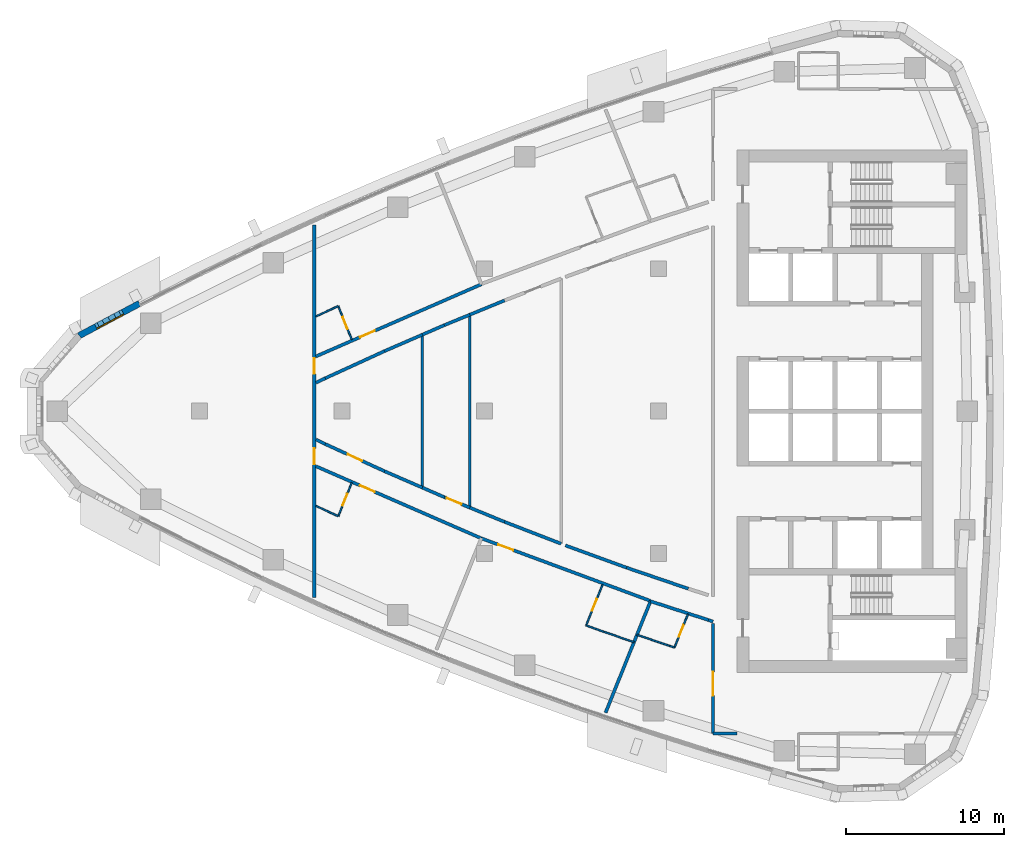
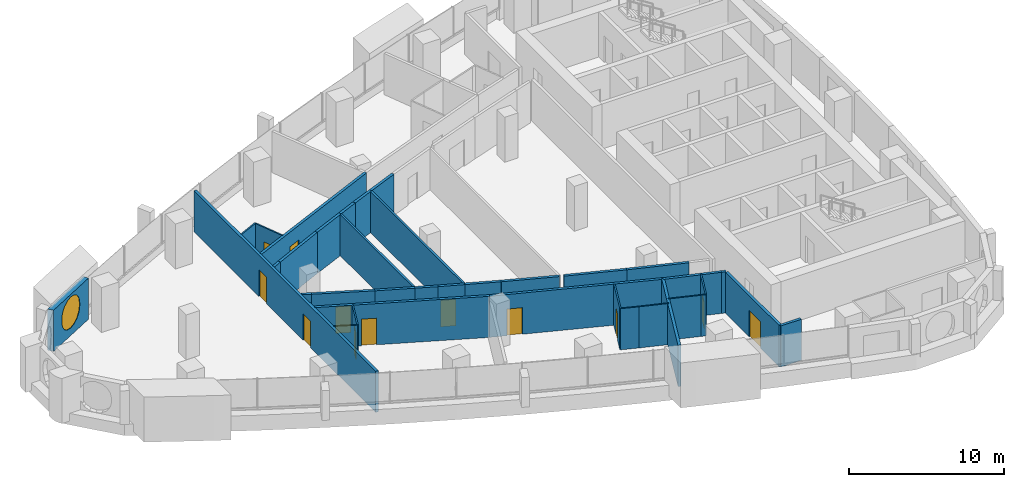
# One storey, part 9 of 17: 37 walls, 12 doors, 1 window, 13 openings.
"""IFC4 building model written with IfcOpenShell, lengths in metres."""

from ifc_helpers import new_model, si_unit, direction, frame, frame_2d, origin, place, context, subcontext, project, spatial, polyline, rectangle, outline, extrude, material, layer, layer_set, type_object, element, fill, save


model = new_model("IFC4")

# Units and contexts
model_context = context("Model", 3, precision=1e-05, world=origin(), true_north=direction((0.0, 1.0)))
body_context = subcontext(model_context, "Body", "Model", "MODEL_VIEW")
ifc_project = project(units=[si_unit("LENGTHUNIT", "METRE"), si_unit("AREAUNIT", "SQUARE_METRE"), si_unit("VOLUMEUNIT", "CUBIC_METRE"), si_unit("PLANEANGLEUNIT", "RADIAN"), si_unit("MASSUNIT", "GRAM", prefix="KILO")], contexts=[model_context])

# Site, building, storey
site_placement = place(None, origin())
site = spatial("IfcSite", under=ifc_project, at=site_placement, CompositionType="ELEMENT")
building_placement = place(site_placement, origin())
building = spatial("IfcBuilding", under=site, at=building_placement, Name="Ostrand Prow Hotel Tower", CompositionType="ELEMENT")
storey_placement = place(building_placement, frame((0.0, 0.0, 182.60009765625)))
storey = spatial("IfcBuildingStorey", under=building, at=storey_placement, Name="L45", CompositionType="ELEMENT", Elevation=182.60009765625)

# Wall
ifc_material_1 = material(Name="Plasterboard partition")
ifc_layer_1 = layer(ifc_material_1, 0.10009765625)
ifc_layer_set_1 = layer_set([ifc_layer_1], Name="Plasterboard partition")
wall_type_1 = type_object("IfcWallType", Name="Partition 100 bathroom wall", PredefinedType="PARTITIONING", material=ifc_layer_set_1)
wall_1_placement = place(storey_placement, frame((23.35400390625, 5.9873046875, 0.0), z_axis=(0.0, 0.0, 1.0), x_axis=(0.909158902999, 0.416449383597, 0.0)))
element("IfcWall", 1, at=wall_1_placement, inside=storey, type_object=wall_type_1, Name="BATHROOM WALL", PredefinedType="PARTITIONING", context=body_context, shape_type="SweptSolid", body=[
    extrude(rectangle(XDim=1.555908203125, YDim=0.10009765625, at=frame_2d((0.77783203125, 0.0))), origin(), (0.0, 0.0, 1.0), 3.25),
])

# Wall, opening, door
wall_2_placement = place(storey_placement, frame((24.7685546875, 6.635009765625, 0.0), z_axis=(0.0, 0.0, 1.0), x_axis=(0.373956446544, -0.927446265877, 0.0)))
wall_2 = element("IfcWall", 2, at=wall_2_placement, inside=storey, type_object=wall_type_1, Name="BATHROOM WALL", PredefinedType="PARTITIONING", context=body_context, shape_type="SweptSolid", body=[
    extrude(rectangle(XDim=2.279052734375, YDim=0.10009765625, at=frame_2d((1.1396484375, 0.0))), origin(), (0.0, 0.0, 1.0), 3.25),
])
opening_1_placement = place(wall_2_placement, frame((0.75, 0.0, 0.0)))
opening_1 = element("IfcOpeningElement", 3, at=opening_1_placement, cuts=wall_2, Name="Opening D2", PredefinedType="OPENING", context=body_context, shape_type="SweptSolid", body=[
    extrude(rectangle(XDim=0.800048828125, YDim=2.10009765625, at=frame_2d((0.39990234375, 1.050048828125))), frame((0.0, 0.06005859375, 0.0), z_axis=(0.0, -1.0, 0.0), x_axis=(1.0, 0.0, 0.0)), (0.0, 0.0, 1.0), 0.1201171875),
])
ifc_material_2 = material(Name="Timber door leaf", Category="wood")
door_type_1 = type_object("IfcDoorType", Name="Bathroom door 800", OperationType="SINGLE_SWING_LEFT", PredefinedType="DOOR", material=ifc_material_2)
door_1_placement = place(opening_1_placement, origin())
door_1 = element("IfcDoor", 4, at=door_1_placement, inside=storey, type_object=door_type_1, Name="DOOR", OperationType="SINGLE_SWING_LEFT", OverallHeight=2.10009765625, OverallWidth=0.800048828125, PredefinedType="DOOR", context=body_context, shape_type="SweptSolid", body=[
    extrude(rectangle(XDim=0.800048828125, YDim=2.10009765625, at=frame_2d((0.39990234375, 1.050048828125))), frame((0.0, 0.02490234375, 0.0), z_axis=(0.0, -1.0, 0.0), x_axis=(1.0, 0.0, 0.0)), (0.0, 0.0, 1.0), 0.050048828125),
])
fill(opening_1, door_1)

wall_3_placement = place(storey_placement, frame((25.620849609375, -4.521240234375, 0.0), z_axis=(0.0, 0.0, 1.0), x_axis=(-0.373956446544, -0.927446265877, 0.0)))
wall_3 = element("IfcWall", 5, at=wall_3_placement, inside=storey, type_object=wall_type_1, Name="BATHROOM WALL", PredefinedType="PARTITIONING", context=body_context, shape_type="SweptSolid", body=[
    extrude(rectangle(XDim=2.279052734375, YDim=0.10009765625, at=frame_2d((1.1396484375, 0.0))), origin(), (0.0, 0.0, 1.0), 3.25),
])
opening_2_placement = place(wall_3_placement, frame((0.75, 0.0, 0.0)))
opening_2 = element("IfcOpeningElement", 6, at=opening_2_placement, cuts=wall_3, Name="Opening D2", PredefinedType="OPENING", context=body_context, shape_type="SweptSolid", body=[
    extrude(rectangle(XDim=0.800048828125, YDim=2.10009765625, at=frame_2d((0.39990234375, 1.050048828125))), frame((0.0, 0.06005859375, 0.0), z_axis=(0.0, -1.0, 0.0), x_axis=(1.0, 0.0, 0.0)), (0.0, 0.0, 1.0), 0.1201171875),
])
door_2_placement = place(opening_2_placement, origin())
door_2 = element("IfcDoor", 7, at=door_2_placement, inside=storey, type_object=door_type_1, Name="DOOR", OperationType="SINGLE_SWING_LEFT", OverallHeight=2.10009765625, OverallWidth=0.800048828125, PredefinedType="DOOR", context=body_context, shape_type="SweptSolid", body=[
    extrude(rectangle(XDim=0.800048828125, YDim=2.10009765625, at=frame_2d((0.39990234375, 1.050048828125))), frame((0.0, 0.02490234375, 0.0), z_axis=(0.0, -1.0, 0.0), x_axis=(1.0, 0.0, 0.0)), (0.0, 0.0, 1.0), 0.050048828125),
])
fill(opening_2, door_2)

# Wall
wall_4_placement = place(storey_placement, frame((24.7685546875, -6.63525390625, 0.0), z_axis=(0.0, 0.0, 1.0), x_axis=(-0.909158902999, 0.416449383597, 0.0)))
element("IfcWall", 8, at=wall_4_placement, inside=storey, type_object=wall_type_1, Name="BATHROOM WALL", PredefinedType="PARTITIONING", context=body_context, shape_type="SweptSolid", body=[
    extrude(rectangle(XDim=1.555908203125, YDim=0.10009765625, at=frame_2d((0.77783203125, 0.0))), origin(), (0.0, 0.0, 1.0), 3.25),
])

# Wall, opening, door
wall_5_placement = place(storey_placement, frame((40.425537109375, -13.53173828125, 0.0), z_axis=(0.0, 0.0, 1.0), x_axis=(0.373889095325, 0.927473419779, 0.0)))
wall_5 = element("IfcWall", 9, at=wall_5_placement, inside=storey, type_object=wall_type_1, Name="BATHROOM WALL", PredefinedType="PARTITIONING", context=body_context, shape_type="SweptSolid", body=[
    extrude(rectangle(XDim=2.7783203125, YDim=0.10009765625, at=frame_2d((1.38916015625, 0.0))), origin(), (0.0, 0.0, 1.0), 3.25),
])
opening_3_placement = place(wall_5_placement, frame((1.0, 0.0, 0.0)))
opening_3 = element("IfcOpeningElement", 10, at=opening_3_placement, cuts=wall_5, Name="Opening D2", PredefinedType="OPENING", context=body_context, shape_type="SweptSolid", body=[
    extrude(rectangle(XDim=0.800048828125, YDim=2.10009765625, at=frame_2d((0.39990234375, 1.050048828125))), frame((0.0, 0.06005859375, 0.0), z_axis=(0.0, -1.0, 0.0), x_axis=(1.0, 0.0, 0.0)), (0.0, 0.0, 1.0), 0.1201171875),
])
door_3_placement = place(opening_3_placement, origin())
door_3 = element("IfcDoor", 11, at=door_3_placement, inside=storey, type_object=door_type_1, Name="DOOR", OperationType="SINGLE_SWING_LEFT", OverallHeight=2.10009765625, OverallWidth=0.800048828125, PredefinedType="DOOR", context=body_context, shape_type="SweptSolid", body=[
    extrude(rectangle(XDim=0.800048828125, YDim=2.10009765625, at=frame_2d((0.39990234375, 1.050048828125))), frame((0.0, 0.02490234375, 0.0), z_axis=(0.0, -1.0, 0.0), x_axis=(1.0, 0.0, 0.0)), (0.0, 0.0, 1.0), 0.050048828125),
])
fill(opening_3, door_3)

# Walls
wall_6_placement = place(storey_placement, frame((43.449462890625, -14.589111328125, 0.0), z_axis=(0.0, 0.0, 1.0), x_axis=(-0.94641533286, 0.322952036265, 0.0)))
element("IfcWall", 12, at=wall_6_placement, inside=storey, type_object=wall_type_1, Name="BATHROOM WALL", PredefinedType="PARTITIONING", context=body_context, shape_type="SweptSolid", body=[
    extrude(rectangle(XDim=2.001708984375, YDim=0.10009765625, at=frame_2d((1.0009765625, 0.0))), origin(), (0.0, 0.0, 1.0), 3.25),
])
wall_7_placement = place(storey_placement, frame((41.5546875, -13.942626953125, 0.0), z_axis=(0.0, 0.0, 1.0), x_axis=(-0.939781557461, 0.341775692897, 0.0)))
element("IfcWall", 13, at=wall_7_placement, inside=storey, type_object=wall_type_1, Name="BATHROOM WALL", PredefinedType="PARTITIONING", context=body_context, shape_type="SweptSolid", body=[
    extrude(rectangle(XDim=1.201416015625, YDim=0.10009765625, at=frame_2d((0.6005859375, 0.0))), origin(), (0.0, 0.0, 1.0), 3.25),
])

# Wall, opening, door
wall_8_placement = place(storey_placement, frame((46.862548828125, -12.80908203125, 0.0), z_axis=(0.0, 0.0, 1.0), x_axis=(-0.373877855241, -0.927477950876, 0.0)))
wall_8 = element("IfcWall", 14, at=wall_8_placement, inside=storey, type_object=wall_type_1, Name="BATHROOM WALL", PredefinedType="PARTITIONING", context=body_context, shape_type="SweptSolid", body=[
    extrude(rectangle(XDim=2.283447265625, YDim=0.10009765625, at=frame_2d((1.1416015625, 0.0))), origin(), (0.0, 0.0, 1.0), 3.25),
])
opening_4_placement = place(wall_8_placement, frame((0.75, 0.0, 0.0)))
opening_4 = element("IfcOpeningElement", 15, at=opening_4_placement, cuts=wall_8, Name="Opening D2", PredefinedType="OPENING", context=body_context, shape_type="SweptSolid", body=[
    extrude(rectangle(XDim=0.800048828125, YDim=2.10009765625, at=frame_2d((0.39990234375, 1.050048828125))), frame((0.0, 0.06005859375, 0.0), z_axis=(0.0, -1.0, 0.0), x_axis=(1.0, 0.0, 0.0)), (0.0, 0.0, 1.0), 0.1201171875),
])
door_4_placement = place(opening_4_placement, origin())
door_4 = element("IfcDoor", 16, at=door_4_placement, inside=storey, type_object=door_type_1, Name="DOOR", OperationType="SINGLE_SWING_LEFT", OverallHeight=2.10009765625, OverallWidth=0.800048828125, PredefinedType="DOOR", context=body_context, shape_type="SweptSolid", body=[
    extrude(rectangle(XDim=0.800048828125, YDim=2.10009765625, at=frame_2d((0.39990234375, 1.050048828125))), frame((0.0, 0.02490234375, 0.0), z_axis=(0.0, -1.0, 0.0), x_axis=(1.0, 0.0, 0.0)), (0.0, 0.0, 1.0), 0.050048828125),
])
fill(opening_4, door_4)

# Walls
wall_9_placement = place(storey_placement, frame((46.0087890625, -14.927001953125, 0.0), z_axis=(0.0, 0.0, 1.0), x_axis=(-0.952618746207, 0.304166935045, 0.0)))
element("IfcWall", 17, at=wall_9_placement, inside=storey, type_object=wall_type_1, Name="BATHROOM WALL", PredefinedType="PARTITIONING", context=body_context, shape_type="SweptSolid", body=[
    extrude(rectangle(XDim=0.334716796875, YDim=0.10009765625, at=frame_2d((0.16748046875, 0.0))), origin(), (0.0, 0.0, 1.0), 3.25),
])
wall_10_placement = place(storey_placement, frame((45.68994140625, -14.8251953125, 0.0), z_axis=(0.0, 0.0, 1.0), x_axis=(-0.946442988685, 0.322870979136, 0.0)))
element("IfcWall", 18, at=wall_10_placement, inside=storey, type_object=wall_type_1, Name="BATHROOM WALL", PredefinedType="PARTITIONING", context=body_context, shape_type="SweptSolid", body=[
    extrude(rectangle(XDim=2.16943359375, YDim=0.10009765625, at=frame_2d((1.084716796875, 0.0))), origin(), (0.0, 0.0, 1.0), 3.25),
])
ifc_material_3 = material(Name="Plasterboard partition")
ifc_layer_2 = layer(ifc_material_3, 0.14990234375)
ifc_layer_set_2 = layer_set([ifc_layer_2], Name="Plasterboard partition")
wall_type_2 = type_object("IfcWallType", Name="Partition 150 room partition", PredefinedType="PARTITIONING", material=ifc_layer_set_2)
wall_11_placement = place(storey_placement, frame((30.078857421875, -4.830078125, 0.0), z_axis=(0.0, 0.0, 1.0), x_axis=(0.0, 1.0, 0.0)))
element("IfcWall", 19, at=wall_11_placement, inside=storey, type_object=wall_type_2, Name="ROOM PARTITION", PredefinedType="PARTITIONING", context=body_context, shape_type="SweptSolid", body=[
    extrude(rectangle(XDim=9.66015625, YDim=0.14990234375, at=frame_2d((4.830078125, 0.0))), origin(), (0.0, 0.0, 1.0), 3.25),
])
wall_12_placement = place(storey_placement, frame((33.078857421875, -6.09326171875, 0.0), z_axis=(0.0, 0.0, 1.0), x_axis=(0.0, 1.0, 0.0)))
element("IfcWall", 20, at=wall_12_placement, inside=storey, type_object=wall_type_2, Name="ROOM PARTITION", PredefinedType="PARTITIONING", context=body_context, shape_type="SweptSolid", body=[
    extrude(rectangle(XDim=12.1865234375, YDim=0.14990234375, at=frame_2d((6.09326171875, 0.0))), origin(), (0.0, 0.0, 1.0), 3.25),
])

# Wall, opening, door
ifc_material_4 = material(Name="Plasterboard partition")
ifc_layer_3 = layer(ifc_material_4, 0.199951171875)
ifc_layer_set_3 = layer_set([ifc_layer_3], Name="Plasterboard partition")
wall_type_3 = type_object("IfcWallType", Name="Partition 200 corridor wall", PredefinedType="PARTITIONING", material=ifc_layer_set_3)
wall_13_placement = place(storey_placement, frame((23.35400390625, 3.45751953125, 0.0), z_axis=(0.0, 0.0, 1.0), x_axis=(0.916719487908, 0.399531451189, 0.0)))
wall_13 = element("IfcWall", 21, at=wall_13_placement, inside=storey, type_object=wall_type_3, Name="CORRIDOR WALL", PredefinedType="PARTITIONING", context=body_context, shape_type="SweptSolid", body=[
    extrude(rectangle(XDim=11.404296875, YDim=0.199951171875, at=frame_2d((5.7021484375, 0.0))), origin(), (0.0, 0.0, 1.0), 3.25),
])
opening_5_placement = place(wall_13_placement, frame((3.050048828125, 0.0, 0.0)))
opening_5 = element("IfcOpeningElement", 22, at=opening_5_placement, cuts=wall_13, Name="Opening D1R", PredefinedType="OPENING", context=body_context, shape_type="SweptSolid", body=[
    extrude(rectangle(XDim=1.0, YDim=2.10009765625, at=frame_2d((0.5, 1.050048828125))), frame((0.0, 0.10986328125, 0.0), z_axis=(0.0, -1.0, 0.0), x_axis=(1.0, 0.0, 0.0)), (0.0, 0.0, 1.0), 0.219970703125),
])
ifc_material_5 = material(Name="Timber door leaf", Category="wood")
door_type_2 = type_object("IfcDoorType", Name="Guest room door 1000 right", OperationType="SINGLE_SWING_RIGHT", PredefinedType="DOOR", material=ifc_material_5)
door_5_placement = place(opening_5_placement, origin())
door_5 = element("IfcDoor", 23, at=door_5_placement, inside=storey, type_object=door_type_2, Name="DOOR", OperationType="SINGLE_SWING_RIGHT", OverallHeight=2.10009765625, OverallWidth=1.0, PredefinedType="DOOR", context=body_context, shape_type="SweptSolid", body=[
    extrude(rectangle(XDim=1.0, YDim=2.10009765625, at=frame_2d((0.5, 1.050048828125))), frame((0.0, 0.02490234375, 0.0), z_axis=(0.0, -1.0, 0.0), x_axis=(1.0, 0.0, 0.0)), (0.0, 0.0, 1.0), 0.050048828125),
])
fill(opening_5, door_5)

wall_14_placement = place(storey_placement, frame((23.35400390625, -3.4794921875, 0.0), z_axis=(0.0, 0.0, 1.0), x_axis=(0.916726746983, -0.399514794926, 0.0)))
wall_14 = element("IfcWall", 24, at=wall_14_placement, inside=storey, type_object=wall_type_3, Name="CORRIDOR WALL", PredefinedType="PARTITIONING", context=body_context, shape_type="SweptSolid", body=[
    extrude(rectangle(XDim=11.396240234375, YDim=0.199951171875, at=frame_2d((5.6982421875, 0.0))), origin(), (0.0, 0.0, 1.0), 3.25),
])
opening_6_placement = place(wall_14_placement, frame((3.050048828125, 0.0, 0.0)))
opening_6 = element("IfcOpeningElement", 25, at=opening_6_placement, cuts=wall_14, Name="Opening D1", PredefinedType="OPENING", context=body_context, shape_type="SweptSolid", body=[
    extrude(rectangle(XDim=1.0, YDim=2.10009765625, at=frame_2d((0.5, 1.050048828125))), frame((0.0, 0.10986328125, 0.0), z_axis=(0.0, -1.0, 0.0), x_axis=(1.0, 0.0, 0.0)), (0.0, 0.0, 1.0), 0.219970703125),
])
ifc_material_6 = material(Name="Timber door leaf", Category="wood")
door_type_3 = type_object("IfcDoorType", Name="Guest room door 1000", OperationType="SINGLE_SWING_LEFT", PredefinedType="DOOR", material=ifc_material_6)
door_6_placement = place(opening_6_placement, origin())
door_6 = element("IfcDoor", 26, at=door_6_placement, inside=storey, type_object=door_type_3, Name="DOOR", OperationType="SINGLE_SWING_LEFT", OverallHeight=2.10009765625, OverallWidth=1.0, PredefinedType="DOOR", context=body_context, shape_type="SweptSolid", body=[
    extrude(rectangle(XDim=1.0, YDim=2.10009765625, at=frame_2d((0.5, 1.050048828125))), frame((0.0, 0.02490234375, 0.0), z_axis=(0.0, -1.0, 0.0), x_axis=(1.0, 0.0, 0.0)), (0.0, 0.0, 1.0), 0.050048828125),
])
fill(opening_6, door_6)

wall_15_placement = place(storey_placement, frame((33.80126953125, -8.032470703125, 0.0), z_axis=(0.0, 0.0, 1.0), x_axis=(0.937916242759, -0.346861819127, 0.0)))
wall_15 = element("IfcWall", 27, at=wall_15_placement, inside=storey, type_object=wall_type_3, Name="CORRIDOR WALL", PredefinedType="PARTITIONING", context=body_context, shape_type="SweptSolid", body=[
    extrude(rectangle(XDim=11.404541015625, YDim=0.199951171875, at=frame_2d((5.7021484375, 0.0))), origin(), (0.0, 0.0, 1.0), 3.25),
])
opening_7_placement = place(wall_15_placement, frame((1.14990234375, 0.0, 0.0)))
opening_7 = element("IfcOpeningElement", 28, at=opening_7_placement, cuts=wall_15, Name="Opening D1", PredefinedType="OPENING", context=body_context, shape_type="SweptSolid", body=[
    extrude(rectangle(XDim=1.0, YDim=2.10009765625, at=frame_2d((0.5, 1.050048828125))), frame((0.0, 0.10986328125, 0.0), z_axis=(0.0, -1.0, 0.0), x_axis=(1.0, 0.0, 0.0)), (0.0, 0.0, 1.0), 0.219970703125),
])
door_7_placement = place(opening_7_placement, origin())
door_7 = element("IfcDoor", 29, at=door_7_placement, inside=storey, type_object=door_type_3, Name="DOOR", OperationType="SINGLE_SWING_LEFT", OverallHeight=2.10009765625, OverallWidth=1.0, PredefinedType="DOOR", context=body_context, shape_type="SweptSolid", body=[
    extrude(rectangle(XDim=1.0, YDim=2.10009765625, at=frame_2d((0.5, 1.050048828125))), frame((0.0, 0.02490234375, 0.0), z_axis=(0.0, -1.0, 0.0), x_axis=(1.0, 0.0, 0.0)), (0.0, 0.0, 1.0), 0.050048828125),
])
fill(opening_7, door_7)

wall_16_placement = place(storey_placement, frame((27.689697265625, -3.79345703125, 0.0), z_axis=(0.0, 0.0, 1.0), x_axis=(-0.909180834404, 0.416401501382, 0.0)))
wall_16 = element("IfcWall", 30, at=wall_16_placement, inside=storey, type_object=wall_type_3, Name="CORRIDOR WALL", PredefinedType="PARTITIONING", context=body_context, shape_type="SweptSolid", body=[
    extrude(rectangle(XDim=4.1171875, YDim=0.199951171875, at=frame_2d((2.05859375, 0.0))), origin(), (0.0, 0.0, 1.0), 3.25),
])
opening_8_placement = place(wall_16_placement, frame((1.55859375, 0.0, 0.0)))
opening_8 = element("IfcOpeningElement", 31, at=opening_8_placement, cuts=wall_16, Name="Opening D1", PredefinedType="OPENING", context=body_context, shape_type="SweptSolid", body=[
    extrude(rectangle(XDim=1.0, YDim=2.10009765625, at=frame_2d((0.5, 1.050048828125))), frame((0.0, 0.10986328125, 0.0), z_axis=(0.0, -1.0, 0.0), x_axis=(1.0, 0.0, 0.0)), (0.0, 0.0, 1.0), 0.219970703125),
])
door_8_placement = place(opening_8_placement, origin())
door_8 = element("IfcDoor", 32, at=door_8_placement, inside=storey, type_object=door_type_3, Name="DOOR", OperationType="SINGLE_SWING_LEFT", OverallHeight=2.10009765625, OverallWidth=1.0, PredefinedType="DOOR", context=body_context, shape_type="SweptSolid", body=[
    extrude(rectangle(XDim=1.0, YDim=2.10009765625, at=frame_2d((0.5, 1.050048828125))), frame((0.0, 0.02490234375, 0.0), z_axis=(0.0, -1.0, 0.0), x_axis=(1.0, 0.0, 0.0)), (0.0, 0.0, 1.0), 0.050048828125),
])
fill(opening_8, door_8)

# Walls
for number, where, z_axis, x_axis, name in (
    (33, (23.946533203125, -2.0791015625, 0.0), (0.0, 0.0, 1.0), (-0.900646803965, 0.434551877809, 0.0), "CORRIDOR WALL"),
    (34, (23.35400390625, 1.793212890625, 0.0), (0.0, 0.0, 1.0), (0.900646803965, 0.434551877809, 0.0), "CORRIDOR WALL"),
):
    element("IfcWall", number, at=place(storey_placement, frame(where, z_axis=z_axis, x_axis=x_axis)), inside=storey, type_object=wall_type_3, Name=name, PredefinedType="PARTITIONING", context=body_context, shape_type="SweptSolid", body=[
        extrude(rectangle(XDim=0.657958984375, YDim=0.199951171875, at=frame_2d((0.3291015625, 0.0))), origin(), (0.0, 0.0, 1.0), 3.25),
    ])
wall_17_placement = place(storey_placement, frame((23.946533203125, 2.0791015625, 0.0), z_axis=(0.0, 0.0, 1.0), x_axis=(0.909180834404, 0.416401501382, 0.0)))
element("IfcWall", 35, at=wall_17_placement, inside=storey, type_object=wall_type_3, Name="CORRIDOR WALL", PredefinedType="PARTITIONING", context=body_context, shape_type="SweptSolid", body=[
    extrude(rectangle(XDim=4.1171875, YDim=0.199951171875, at=frame_2d((2.05859375, 0.0))), origin(), (0.0, 0.0, 1.0), 3.25),
])
for number, where, z_axis, x_axis, name in (
    (36, (27.689697265625, 3.79345703125, 0.0), (0.0, 0.0, 1.0), (0.917370846112, 0.398033579869, 0.0), "CORRIDOR WALL"),
    (37, (30.078857421875, -4.830078125, 0.0), (0.0, 0.0, 1.0), (-0.917370846112, 0.398033579869, 0.0), "CORRIDOR WALL"),
):
    element("IfcWall", number, at=place(storey_placement, frame(where, z_axis=z_axis, x_axis=x_axis)), inside=storey, type_object=wall_type_3, Name=name, PredefinedType="PARTITIONING", context=body_context, shape_type="SweptSolid", body=[
        extrude(rectangle(XDim=2.604248046875, YDim=0.199951171875, at=frame_2d((1.30224609375, 0.0))), origin(), (0.0, 0.0, 1.0), 3.25),
    ])

# Wall, opening, door
wall_18_placement = place(storey_placement, frame((33.078857421875, -6.09326171875, 0.0), z_axis=(0.0, 0.0, 1.0), x_axis=(-0.925234201035, 0.379396459177, 0.0)))
wall_18 = element("IfcWall", 38, at=wall_18_placement, inside=storey, type_object=wall_type_3, Name="CORRIDOR WALL", PredefinedType="PARTITIONING", context=body_context, shape_type="SweptSolid", body=[
    extrude(rectangle(XDim=1.74267578125, YDim=0.199951171875, at=frame_2d((0.871337890625, 0.0))), origin(), (0.0, 0.0, 1.0), 3.25),
])
opening_9_placement = place(wall_18_placement, frame((0.5712890625, 0.0, 0.0)))
opening_9 = element("IfcOpeningElement", 39, at=opening_9_placement, cuts=wall_18, Name="Opening D1R", PredefinedType="OPENING", context=body_context, shape_type="SweptSolid", body=[
    extrude(rectangle(XDim=1.0, YDim=2.10009765625, at=frame_2d((0.5, 1.050048828125))), frame((0.0, 0.10986328125, 0.0), z_axis=(0.0, -1.0, 0.0), x_axis=(1.0, 0.0, 0.0)), (0.0, 0.0, 1.0), 0.219970703125),
])
door_9_placement = place(opening_9_placement, origin())
door_9 = element("IfcDoor", 40, at=door_9_placement, inside=storey, type_object=door_type_2, Name="DOOR", OperationType="SINGLE_SWING_RIGHT", OverallHeight=2.10009765625, OverallWidth=1.0, PredefinedType="DOOR", context=body_context, shape_type="SweptSolid", body=[
    extrude(rectangle(XDim=1.0, YDim=2.10009765625, at=frame_2d((0.5, 1.050048828125))), frame((0.0, 0.02490234375, 0.0), z_axis=(0.0, -1.0, 0.0), x_axis=(1.0, 0.0, 0.0)), (0.0, 0.0, 1.0), 0.050048828125),
])
fill(opening_9, door_9)

# Walls
for number, where, z_axis, x_axis, name in (
    (41, (31.466552734375, -5.43212890625, 0.0), (0.0, 0.0, 1.0), (-0.917382817853, 0.398005986774, 0.0), "CORRIDOR WALL"),
    (42, (30.078857421875, 4.830078125, 0.0), (0.0, 0.0, 1.0), (0.917382817853, 0.398005986774, 0.0), "CORRIDOR WALL"),
):
    element("IfcWall", number, at=place(storey_placement, frame(where, z_axis=z_axis, x_axis=x_axis)), inside=storey, type_object=wall_type_3, Name=name, PredefinedType="PARTITIONING", context=body_context, shape_type="SweptSolid", body=[
        extrude(rectangle(XDim=1.5126953125, YDim=0.199951171875, at=frame_2d((0.75634765625, 0.0))), origin(), (0.0, 0.0, 1.0), 3.25),
    ])
wall_19_placement = place(storey_placement, frame((31.466552734375, 5.43212890625, 0.0), z_axis=(0.0, 0.0, 1.0), x_axis=(0.925234201035, 0.379396459177, 0.0)))
element("IfcWall", 43, at=wall_19_placement, inside=storey, type_object=wall_type_3, Name="CORRIDOR WALL", PredefinedType="PARTITIONING", context=body_context, shape_type="SweptSolid", body=[
    extrude(rectangle(XDim=1.74267578125, YDim=0.199951171875, at=frame_2d((0.871337890625, 0.0))), origin(), (0.0, 0.0, 1.0), 3.25),
])
wall_20_placement = place(storey_placement, frame((38.843017578125, -8.3740234375, 0.0), z_axis=(0.0, 0.0, 1.0), x_axis=(-0.932681040007, 0.360702200731, 0.0)))
element("IfcWall", 44, at=wall_20_placement, inside=storey, type_object=wall_type_3, Name="CORRIDOR WALL", PredefinedType="PARTITIONING", context=body_context, shape_type="SweptSolid", body=[
    extrude(rectangle(XDim=3.824951171875, YDim=0.199951171875, at=frame_2d((1.91259765625, 0.0))), origin(), (0.0, 0.0, 1.0), 3.25),
])
for number, where, z_axis, x_axis, name in (
    (45, (35.275634765625, -6.994384765625, 0.0), (0.0, 0.0, 1.0), (-0.925186207522, 0.37951347988, 0.0), "CORRIDOR WALL"),
    (46, (33.078857421875, 6.09326171875, 0.0), (0.0, 0.0, 1.0), (0.925186207522, 0.37951347988, 0.0), "CORRIDOR WALL"),
):
    element("IfcWall", number, at=place(storey_placement, frame(where, z_axis=z_axis, x_axis=x_axis)), inside=storey, type_object=wall_type_3, Name=name, PredefinedType="PARTITIONING", context=body_context, shape_type="SweptSolid", body=[
        extrude(rectangle(XDim=2.37451171875, YDim=0.199951171875, at=frame_2d((1.187255859375, 0.0))), origin(), (0.0, 0.0, 1.0), 3.25),
    ])
for number, where, z_axis, x_axis, name in (
    (47, (46.880859375, -11.216552734375, 0.0), (0.0, 0.0, 1.0), (-0.946436071896, 0.322891253852, 0.0), "CORRIDOR WALL"),
    (48, (42.984375, -9.88720703125, 0.0), (0.0, 0.0, 1.0), (-0.939727613335, 0.341923986779, 0.0), "CORRIDOR WALL"),
):
    element("IfcWall", number, at=place(storey_placement, frame(where, z_axis=z_axis, x_axis=x_axis)), inside=storey, type_object=wall_type_3, Name=name, PredefinedType="PARTITIONING", context=body_context, shape_type="SweptSolid", body=[
        extrude(rectangle(XDim=4.116943359375, YDim=0.199951171875, at=frame_2d((2.05859375, 0.0))), origin(), (0.0, 0.0, 1.0), 3.25),
    ])
wall_21_placement = place(storey_placement, frame((44.490478515625, -12.007080078125, 0.0), z_axis=(0.0, 0.0, 1.0), x_axis=(0.951228355446, -0.308487626648, 0.0)))
element("IfcWall", 49, at=wall_21_placement, inside=storey, type_object=wall_type_3, Name="CORRIDOR WALL", PredefinedType="PARTITIONING", context=body_context, shape_type="SweptSolid", body=[
    extrude(rectangle(XDim=3.84716796875, YDim=0.199951171875, at=frame_2d((1.923583984375, 0.0))), origin(), (0.0, 0.0, 1.0), 3.25),
])
wall_22_placement = place(storey_placement, frame((48.14990234375, -13.19384765625, 0.0), z_axis=(0.0, 0.0, 1.0), x_axis=(0.946069343286, -0.323964191994, 0.0)))
element("IfcWall", 50, at=wall_22_placement, inside=storey, type_object=wall_type_3, Name="CORRIDOR WALL", PredefinedType="PARTITIONING", context=body_context, shape_type="SweptSolid", body=[
    extrude(rectangle(XDim=0.31201171875, YDim=0.199951171875, at=frame_2d((0.156005859375, 0.0))), origin(), (0.0, 0.0, 1.0), 3.25),
])

# Wall, opening, door
wall_23_placement = place(storey_placement, frame((48.445068359375, -13.414794921875, 0.0), z_axis=(0.0, 0.0, 1.0), x_axis=(0.0, -1.0, 0.0)))
wall_23 = element("IfcWall", 51, at=wall_23_placement, inside=storey, type_object=wall_type_3, Name="CORRIDOR WALL", PredefinedType="PARTITIONING", context=body_context, shape_type="SweptSolid", body=[
    extrude(rectangle(XDim=6.936279296875, YDim=0.199951171875, at=frame_2d((3.46826171875, 0.0))), origin(), (0.0, 0.0, 1.0), 3.25),
])
opening_10_placement = place(wall_23_placement, frame((3.050048828125, 0.0, 0.0)))
opening_10 = element("IfcOpeningElement", 52, at=opening_10_placement, cuts=wall_23, Name="Opening D15", PredefinedType="OPENING", context=body_context, shape_type="SweptSolid", body=[
    extrude(rectangle(XDim=1.5, YDim=2.10009765625, at=frame_2d((0.75, 1.050048828125))), frame((0.0, 0.10986328125, 0.0), z_axis=(0.0, -1.0, 0.0), x_axis=(1.0, 0.0, 0.0)), (0.0, 0.0, 1.0), 0.219970703125),
])
ifc_material_7 = material(Name="Timber door leaf", Category="wood")
door_type_4 = type_object("IfcDoorType", Name="Double door 1500", OperationType="DOUBLE_DOOR_SINGLE_SWING", PredefinedType="DOOR", material=ifc_material_7)
door_10_placement = place(opening_10_placement, origin())
door_10 = element("IfcDoor", 53, at=door_10_placement, inside=storey, type_object=door_type_4, Name="DOOR", OperationType="DOUBLE_DOOR_SINGLE_SWING", OverallHeight=2.10009765625, OverallWidth=1.5, PredefinedType="DOOR", context=body_context, shape_type="SweptSolid", body=[
    extrude(rectangle(XDim=1.5, YDim=2.10009765625, at=frame_2d((0.75, 1.050048828125))), frame((0.0, 0.02490234375, 0.0), z_axis=(0.0, -1.0, 0.0), x_axis=(1.0, 0.0, 0.0)), (0.0, 0.0, 1.0), 0.050048828125),
])
fill(opening_10, door_10)

# Walls
wall_24_placement = place(storey_placement, frame((48.445068359375, -20.35107421875, 0.0), z_axis=(0.0, 0.0, 1.0), x_axis=(0.999996609175, -0.002604157836, 0.0)))
element("IfcWall", 54, at=wall_24_placement, inside=storey, type_object=wall_type_3, Name="CORRIDOR WALL", PredefinedType="PARTITIONING", context=body_context, shape_type="SweptSolid", body=[
    extrude(rectangle(XDim=1.5, YDim=0.199951171875, at=frame_2d((0.75, 0.0))), origin(), (0.0, 0.0, 1.0), 3.25),
])
ifc_material_8 = material(Name="Plasterboard partition")
ifc_layer_4 = layer(ifc_material_8, 0.199951171875)
ifc_layer_set_4 = layer_set([ifc_layer_4], Name="Plasterboard partition")
wall_type_4 = type_object("IfcWallType", Name="Partition 200 key partition", PredefinedType="PARTITIONING", material=ifc_layer_set_4)
wall_25_placement = place(storey_placement, frame((41.652099609375, -19.047607421875, 0.0), z_axis=(0.0, 0.0, 1.0), x_axis=(0.373877998371, 0.927477893178, 0.0)))
element("IfcWall", 55, at=wall_25_placement, inside=storey, type_object=wall_type_4, Name="KEY PARTITION", PredefinedType="PARTITIONING", context=body_context, shape_type="SweptSolid", body=[
    extrude(rectangle(XDim=7.611328125, YDim=0.199951171875, at=frame_2d((3.8056640625, 0.0))), origin(), (0.0, 0.0, 1.0), 3.25),
])

# Wall, openings, doors
ifc_material_9 = material(Name="Plasterboard partition")
ifc_layer_5 = layer(ifc_material_9, 0.199951171875)
ifc_layer_set_5 = layer_set([ifc_layer_5], Name="Plasterboard partition")
wall_type_5 = type_object("IfcWallType", Name="Partition 200 lounge wall", PredefinedType="PARTITIONING", material=ifc_layer_set_5)
wall_26_placement = place(storey_placement, frame((23.25390625, -11.77099609375, 0.0), z_axis=(0.0, 0.0, 1.0), x_axis=(0.0, 1.0, 0.0)))
wall_26 = element("IfcWall", 56, at=wall_26_placement, inside=storey, type_object=wall_type_5, Name="LOUNGE WALL", PredefinedType="PARTITIONING", context=body_context, shape_type="SweptSolid", body=[
    extrude(rectangle(XDim=23.5419921875, YDim=0.199951171875, at=frame_2d((11.77099609375, 0.0))), origin(), (0.0, 0.0, 1.0), 3.25),
])
opening_11_placement = place(wall_26_placement, frame((14.125, 0.0, 0.0)))
opening_11 = element("IfcOpeningElement", 57, at=opening_11_placement, cuts=wall_26, Name="Opening D1", PredefinedType="OPENING", context=body_context, shape_type="SweptSolid", body=[
    extrude(rectangle(XDim=1.0, YDim=2.10009765625, at=frame_2d((0.5, 1.050048828125))), frame((0.0, 0.10986328125, 0.0), z_axis=(0.0, -1.0, 0.0), x_axis=(1.0, 0.0, 0.0)), (0.0, 0.0, 1.0), 0.219970703125),
])
opening_12_placement = place(wall_26_placement, frame((8.4169921875, 0.0, 0.0)))
opening_12 = element("IfcOpeningElement", 58, at=opening_12_placement, cuts=wall_26, Name="Opening D1R", PredefinedType="OPENING", context=body_context, shape_type="SweptSolid", body=[
    extrude(rectangle(XDim=1.0, YDim=2.10009765625, at=frame_2d((0.5, 1.050048828125))), frame((0.0, 0.10986328125, 0.0), z_axis=(0.0, -1.0, 0.0), x_axis=(1.0, 0.0, 0.0)), (0.0, 0.0, 1.0), 0.219970703125),
])
door_11_placement = place(opening_11_placement, origin())
door_11 = element("IfcDoor", 59, at=door_11_placement, inside=storey, type_object=door_type_3, Name="DOOR", OperationType="SINGLE_SWING_LEFT", OverallHeight=2.10009765625, OverallWidth=1.0, PredefinedType="DOOR", context=body_context, shape_type="SweptSolid", body=[
    extrude(rectangle(XDim=1.0, YDim=2.10009765625, at=frame_2d((0.5, 1.050048828125))), frame((0.0, 0.02490234375, 0.0), z_axis=(0.0, -1.0, 0.0), x_axis=(1.0, 0.0, 0.0)), (0.0, 0.0, 1.0), 0.050048828125),
])
fill(opening_11, door_11)
door_12_placement = place(opening_12_placement, origin())
door_12 = element("IfcDoor", 60, at=door_12_placement, inside=storey, type_object=door_type_2, Name="DOOR", OperationType="SINGLE_SWING_RIGHT", OverallHeight=2.10009765625, OverallWidth=1.0, PredefinedType="DOOR", context=body_context, shape_type="SweptSolid", body=[
    extrude(rectangle(XDim=1.0, YDim=2.10009765625, at=frame_2d((0.5, 1.050048828125))), frame((0.0, 0.02490234375, 0.0), z_axis=(0.0, -1.0, 0.0), x_axis=(1.0, 0.0, 0.0)), (0.0, 0.0, 1.0), 0.050048828125),
])
fill(opening_12, door_12)

# Wall, opening, window
ifc_material_10 = material(Name="Precast concrete C40/50", Category="concrete")
ifc_layer_6 = layer(ifc_material_10, 0.39990234375)
ifc_layer_set_6 = layer_set([ifc_layer_6], Name="Precast concrete C40/50")
wall_type_6 = type_object("IfcWallType", Name="Stone-faced precast wall 400 mm", PredefinedType="NOTDEFINED", material=ifc_layer_set_6)
wall_27_placement = place(storey_placement, frame((12.209716796875, 6.801025390625, 0.0), z_axis=(0.0, 0.0, 1.0), x_axis=(-0.882385889746, -0.470526451518, 0.0)))
wall_27 = element("IfcWall", 61, at=wall_27_placement, inside=storey, type_object=wall_type_6, Name="Stone-faced wall prow 1", PredefinedType="NOTDEFINED", context=body_context, shape_type="SweptSolid", body=[
    extrude(outline(polyline([(0.0, -0.199951171875), (4.34423828125, -0.199951171875), (4.27001953125, 0.199951171875), (0.0, 0.199951171875), (0.0, -0.199951171875)])), origin(), (0.0, 0.0, 1.0), 3.25),
])
opening_13_placement = place(wall_27_placement, frame((1.053466796875, 0.0, 0.60009765625)))
opening_13 = element("IfcOpeningElement", 62, at=opening_13_placement, cuts=wall_27, Name="Opening WP2", PredefinedType="OPENING", context=body_context, shape_type="SweptSolid", body=[
    extrude(outline(polyline([(0.0, 1.35009765625), (0.083740234375, 1.77099609375), (0.322265625, 2.127685546875), (0.678955078125, 2.3662109375), (1.10009765625, 2.449951171875), (1.52099609375, 2.3662109375), (1.877685546875, 2.127685546875), (2.1162109375, 1.77099609375), (2.199951171875, 1.35009765625), (2.199951171875, 1.10009765625), (2.1162109375, 0.678955078125), (1.877685546875, 0.322265625), (1.52099609375, 0.083740234375), (1.10009765625, 0.0), (0.678955078125, 0.083740234375), (0.322265625, 0.322265625), (0.083740234375, 0.678955078125), (0.0, 1.099853515625), (0.0, 1.35009765625)])), frame((0.0, 0.2099609375, 0.0), z_axis=(0.0, -1.0, 0.0), x_axis=(1.0, 0.0, 0.0)), (0.0, 0.0, 1.0), 0.419921875),
])
ifc_material_11 = material(Name="Insulated glass in bronze frame", Category="glass")
window_type = type_object("IfcWindowType", Name="Round-ended prow lounge window 2200x2450", PartitioningType="SINGLE_PANEL", PredefinedType="WINDOW", material=ifc_material_11)
window_placement = place(opening_13_placement, origin())
window = element("IfcWindow", 63, at=window_placement, inside=storey, type_object=window_type, Name="Window prow 1.1", OverallHeight=2.449951171875, OverallWidth=2.199951171875, PartitioningType="SINGLE_PANEL", PredefinedType="WINDOW", context=body_context, shape_type="SweptSolid", body=[
    extrude(outline(polyline([(0.0, 1.35009765625), (0.083740234375, 1.77099609375), (0.322265625, 2.127685546875), (0.678955078125, 2.3662109375), (1.10009765625, 2.449951171875), (1.52099609375, 2.3662109375), (1.877685546875, 2.127685546875), (2.1162109375, 1.77099609375), (2.199951171875, 1.35009765625), (2.199951171875, 1.10009765625), (2.1162109375, 0.678955078125), (1.877685546875, 0.322265625), (1.52099609375, 0.083740234375), (1.10009765625, 0.0), (0.678955078125, 0.083740234375), (0.322265625, 0.322265625), (0.083740234375, 0.678955078125), (0.0, 1.099853515625), (0.0, 1.35009765625)])), frame((0.0, 0.169921875, 0.0), z_axis=(0.0, -1.0, 0.0), x_axis=(1.0, 0.0, 0.0)), (0.0, 0.0, 1.0), 0.06005859375),
])
fill(opening_13, window)

save(model, "model.ifc")
